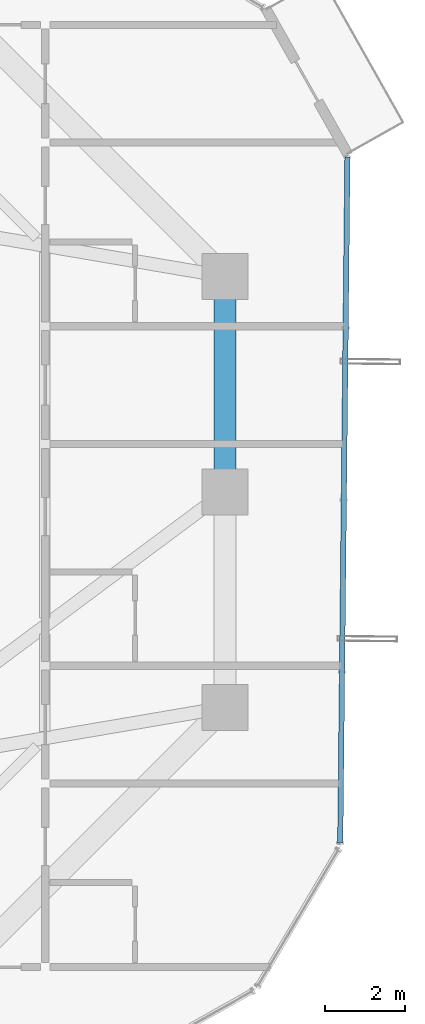
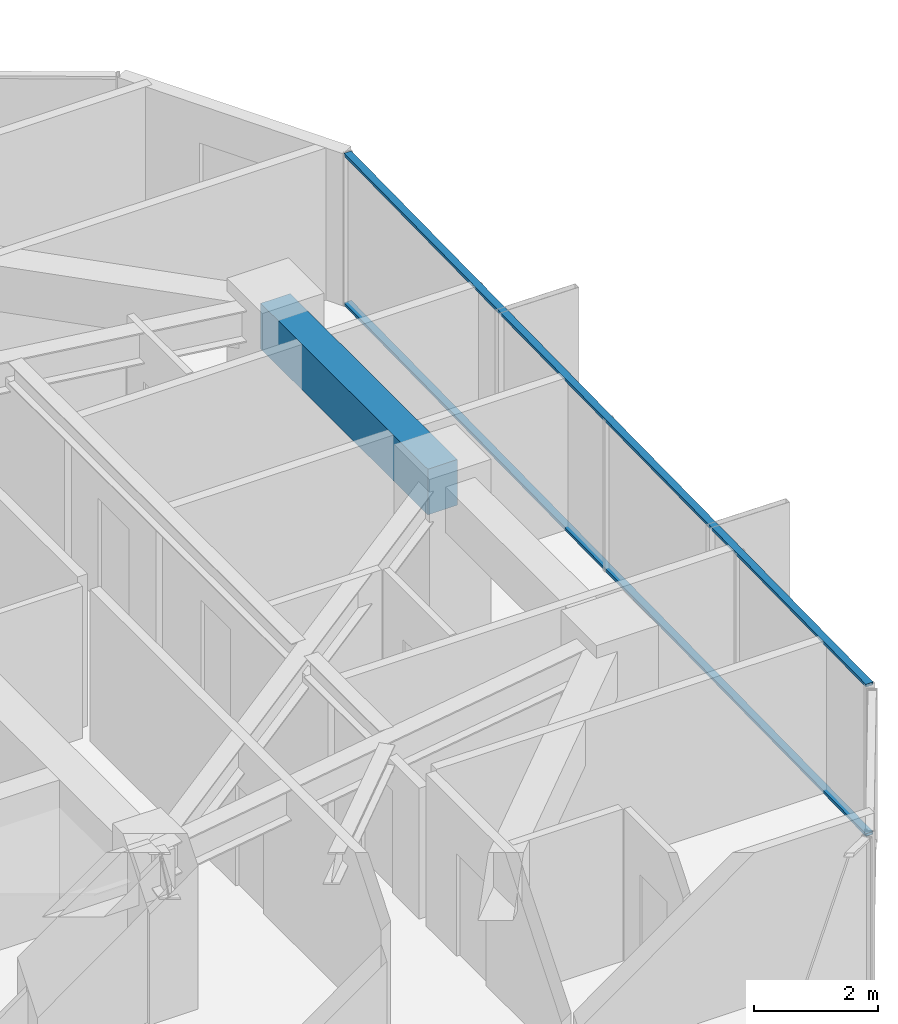
# One storey, part 15 of 30: 2 members, 1 beam, 1 element without a shape of its own.
"""IFC4 building model written with IfcOpenShell, lengths in metres."""

from ifc_helpers import new_model, si_unit, direction, frame, origin, origin_2d, place, context, subcontext, project, spatial, rectangle, hollow_rectangle, extrude, source, transform, mapped, material, layer, layer_set, material_profile, profile_set, type_object, element, aggregate, save


model = new_model("IFC4")

# Units and contexts
model_context = context("Model", 3, precision=1e-05, world=origin(), true_north=direction((0.0, 1.0)))
body_context = subcontext(model_context, "Body", "Model", "MODEL_VIEW")
ifc_project = project(units=[si_unit("LENGTHUNIT", "METRE"), si_unit("AREAUNIT", "SQUARE_METRE"), si_unit("VOLUMEUNIT", "CUBIC_METRE"), si_unit("PLANEANGLEUNIT", "RADIAN"), si_unit("MASSUNIT", "GRAM", prefix="KILO")], contexts=[model_context])

# Site, building, storey
site_placement = place(None, origin())
site = spatial("IfcSite", under=ifc_project, at=site_placement, CompositionType="ELEMENT")
building_placement = place(site_placement, origin())
building = spatial("IfcBuilding", under=site, at=building_placement, Name="Veraguas Prism Commons", CompositionType="ELEMENT")
storey_placement = place(building_placement, frame((0.0, 0.0, 126.25)))
storey = spatial("IfcBuildingStorey", under=building, at=storey_placement, Name="L35", CompositionType="ELEMENT", Elevation=126.25)

# Beam
ifc_material_1 = material(Name="Concrete C50/60", Category="concrete")
ifc_material_profile_1 = material_profile(ifc_material_1, rectangle(XDim=0.550048828125, YDim=0.89990234375, at=origin_2d()), Name="RC550X900")
ifc_profile_set_1 = profile_set([ifc_material_profile_1], Name="Concrete C50/60")
beam_type = type_object("IfcBeamType", Name="Perimeter Spandrel Lower RC 550x900", PredefinedType="SPANDREL", material=ifc_profile_set_1)
beam_placement = place(storey_placement, frame((40.199951171875, 24.0, 2.550048828125), z_axis=(0.0, 1.0, 0.0), x_axis=(-1.0, 0.0, 0.0)))
element("IfcBeam", 1, at=beam_placement, inside=storey, type_object=beam_type, Name="Perimeter Spandrel Beam L35-SP02", PredefinedType="SPANDREL", context=body_context, shape_type="SweptSolid", body=[
    extrude(rectangle(XDim=0.550048828125, YDim=0.89990234375, at=origin_2d()), origin(), (0.0, 0.0, 1.0), 5.39990234375),
])

# Curtain wall, members
ifc_material_2 = material(Name="Anodised aluminium EN AW-6063 T6", Category="aluminium")
ifc_layer = layer(ifc_material_2, 0.169921875, Name="Unitised Flush Curtain Wall Zone 2", Category="aluminium")
ifc_layer_set = layer_set([ifc_layer], Name="Anodised aluminium EN AW-6063 T6")
curtain_wall_type = type_object("IfcCurtainWallType", Name="Unitised Flush Curtain Wall Zone 2", PredefinedType="NOTDEFINED", material=ifc_layer_set)
curtain_wall_placement = place(storey_placement, origin())
curtain_wall = element("IfcCurtainWall", 2, at=curtain_wall_placement, inside=storey, type_object=curtain_wall_type, Name="Tower Facade Curtain Wall L35-F6", PredefinedType="NOTDEFINED")
ifc_material_profile_2 = material_profile(ifc_material_2, hollow_rectangle(XDim=0.054931640625, YDim=0.135009765625, WallThickness=0.0029296875, at=origin_2d()), Name="AL55X135X3")
ifc_profile_set_2 = profile_set([ifc_material_profile_2], Name="Anodised aluminium EN AW-6063 T6")
member_type = type_object("IfcMemberType", Name="Curtain Wall Transom Standard AL 55x135x3", PredefinedType="USERDEFINED", material=ifc_profile_set_2)
shared_shape = source(origin(), body_context, "Body", "SweptSolid", [
    extrude(hollow_rectangle(XDim=0.054931640625, YDim=0.135009765625, WallThickness=0.0029296875, at=origin_2d()), origin(), (0.0, 0.0, 1.0), 17.17431640625),
])
member_1_placement = place(storey_placement, frame((43.09130859375, 15.21240234375, 0.027587890625), z_axis=(0.010491020815, 0.999944967727, 0.0), x_axis=(0.0, 0.0, 1.0)))
member_1 = element("IfcMember", 3, at=member_1_placement, type_object=member_type, Name="CW-Z2 Transom 1", ObjectType="TRANSOM", PredefinedType="USERDEFINED", context=body_context, shape_type="MappedRepresentation", body=[
    mapped(shared_shape, transform((0.0, 0.0, 0.0), scale=1.0)),
])
member_2_placement = place(storey_placement, frame((43.09130859375, 15.21240234375, 2.972412109375), z_axis=(0.010491020815, 0.999944967727, 0.0), x_axis=(0.0, 0.0, 1.0)))
member_2 = element("IfcMember", 4, at=member_2_placement, type_object=member_type, Name="CW-Z2 Transom 2", ObjectType="TRANSOM", PredefinedType="USERDEFINED", context=body_context, shape_type="MappedRepresentation", body=[
    mapped(shared_shape, transform((0.0, 0.0, 0.0), scale=1.0)),
])
aggregate(curtain_wall, [member_1, member_2])

save(model, "model.ifc")
